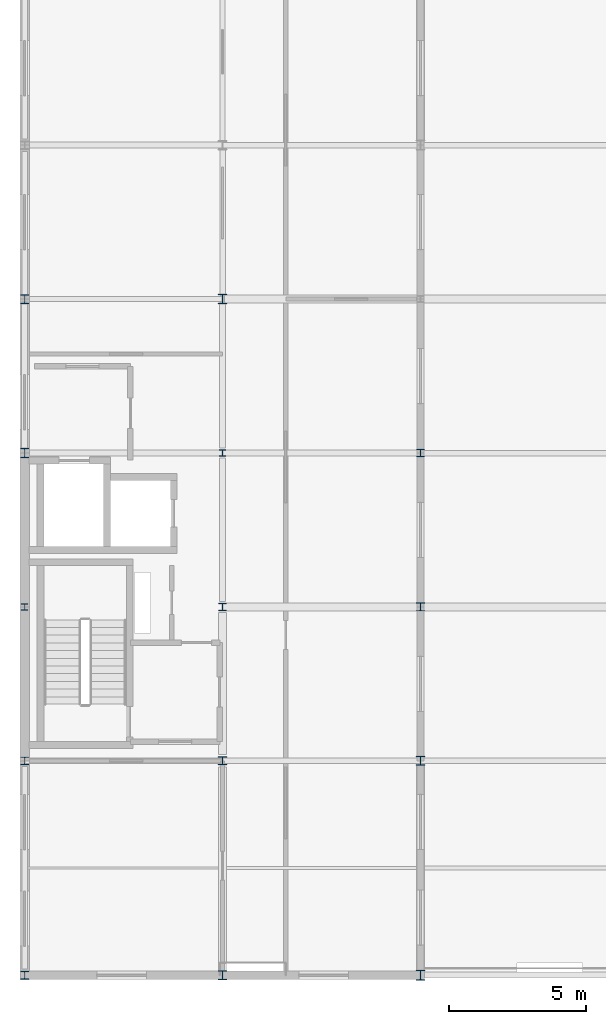
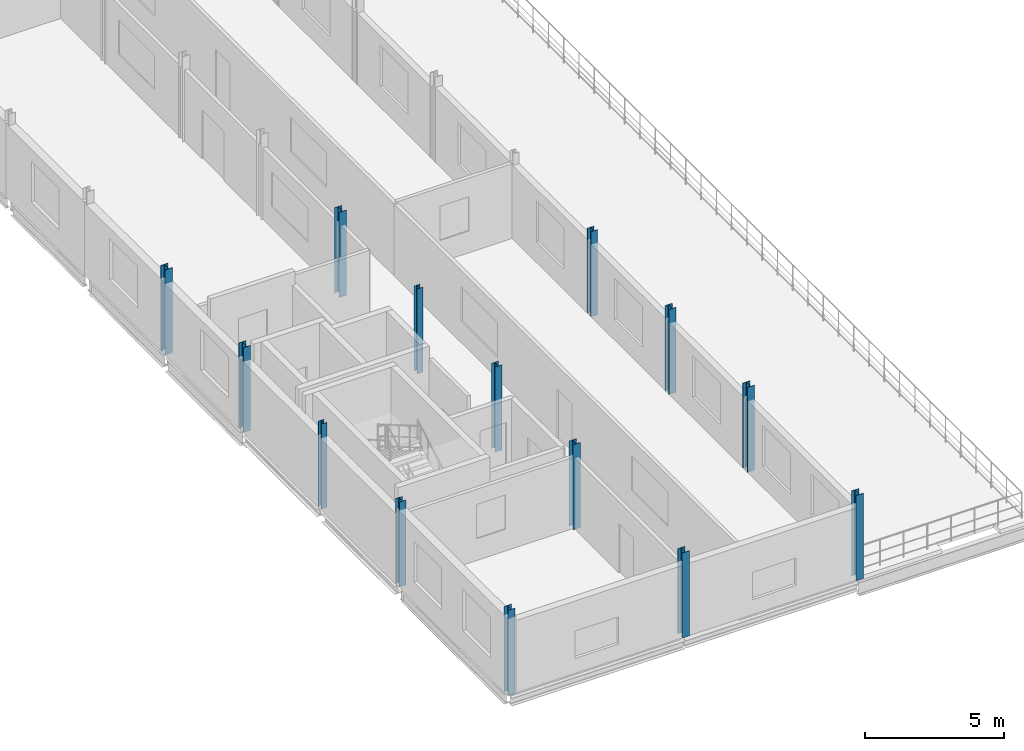
# One storey, part 1 of 14: 14 columns.
"""IFC4 building model written with IfcOpenShell, lengths in metres."""

import ifcopenshell
import ifcopenshell.guid

model = None  # the IFC model being written
_history = None  # IfcOwnerHistory: only IFC2X3 demands one
_inside = {}  # id of a spatial element -> (the spatial element, [elements in it])
_under = {}  # id of a project, library or spatial element -> (it, [spatial elements below it])
_declared = {}  # id of a project -> (the project, [libraries it declares])
_typed = {}  # id of a type object -> (the type object, [elements of that type])
_made_of = {}  # id of a material, layer set ... -> (it, [elements and type objects made of it])


def new_model(schema):
    """Start an empty IFC model of exactly this schema.

    Asked for "IFC4X3", IfcOpenShell would pick the latest addendum, in which some entities
    have other attributes; the version numbers below select the first issue.
    IFC2X3 requires an IfcOwnerHistory on every rooted entity: one is made here for all.
    """
    global model, _history
    if schema == "IFC4X3":
        model = ifcopenshell.file(schema_version=(4, 3, 0, 0))
    else:
        model = ifcopenshell.file(schema=schema)
    _inside.clear()
    _under.clear()
    _declared.clear()
    _typed.clear()
    _made_of.clear()
    _history = None
    if model.schema == "IFC2X3":
        org = make("IfcOrganization", Name="unknown")
        user = make(
            "IfcPersonAndOrganization",
            ThePerson=make("IfcPerson", FamilyName="unknown"),
            TheOrganization=org,
        )
        app = make(
            "IfcApplication",
            ApplicationDeveloper=org,
            Version="unknown",
            ApplicationFullName="unknown",
            ApplicationIdentifier="unknown",
        )
        _history = make(
            "IfcOwnerHistory",
            OwningUser=user,
            OwningApplication=app,
            ChangeAction="ADDED",
            CreationDate=0,
        )
    return model


def make(cls, **values):
    """One entity of the class cls with the attributes given. An attribute that is None is left unset."""
    return model.create_entity(
        cls, **{name: value for name, value in values.items() if value is not None}
    )


def rooted(cls, **values):
    """An entity with a GlobalId (a new one), such as an element, a storey or a relation."""
    return make(cls, GlobalId=ifcopenshell.guid.new(), OwnerHistory=_history, **values)


def si_unit(unit_type, name, prefix=None):
    """IfcSIUnit, for example si_unit("LENGTHUNIT", "METRE", prefix="MILLI")."""
    return make("IfcSIUnit", UnitType=unit_type, Prefix=prefix, Name=name)


def assignment(units):
    """IfcUnitAssignment: the units of a project."""
    return None if units is None else make("IfcUnitAssignment", Units=units)


def point(xyz):
    """IfcCartesianPoint."""
    return None if xyz is None else make("IfcCartesianPoint", Coordinates=xyz)


def direction(xyz):
    """IfcDirection."""
    return None if xyz is None else make("IfcDirection", DirectionRatios=xyz)


def frame(location, z_axis=None, x_axis=None):
    """IfcAxis2Placement3D, a coordinate frame: its origin and axes. An axis left out is left unset."""
    return make(
        "IfcAxis2Placement3D",
        Location=point(location),
        Axis=direction(z_axis),
        RefDirection=direction(x_axis),
    )


def frame_2d(location, x_axis=None):
    """IfcAxis2Placement2D, a coordinate frame in the plane: its origin and x axis."""
    return make(
        "IfcAxis2Placement2D", Location=point(location), RefDirection=direction(x_axis)
    )


def origin():
    """The frame at (0, 0, 0) with its axes left unset."""
    return frame((0.0, 0.0, 0.0))


def origin_2d():
    """The frame at (0, 0) in the plane with its x axis left unset."""
    return frame_2d((0.0, 0.0))


def place(relative_to, where):
    """IfcLocalPlacement: puts the frame where relative to a parent placement (None: the world)."""
    return make(
        "IfcLocalPlacement", PlacementRelTo=relative_to, RelativePlacement=where
    )


def context(
    kind, dimensions, precision=None, world=None, true_north=None, identifier=None
):
    """IfcGeometricRepresentationContext, for example the 3D "Model" context."""
    return make(
        "IfcGeometricRepresentationContext",
        ContextIdentifier=identifier,
        ContextType=kind,
        CoordinateSpaceDimension=dimensions,
        Precision=precision,
        WorldCoordinateSystem=world,
        TrueNorth=true_north,
    )


def subcontext(parent, identifier, kind, view, scale=None):
    """IfcGeometricRepresentationSubContext, for example "Body" below "Model"."""
    return make(
        "IfcGeometricRepresentationSubContext",
        ContextIdentifier=identifier,
        ContextType=kind,
        ParentContext=parent,
        TargetScale=scale,
        TargetView=view,
    )


def project(units=None, contexts=None):
    """IfcProject with its units and contexts."""
    return rooted(
        "IfcProject",
        Name="project",
        RepresentationContexts=contexts,
        UnitsInContext=assignment(units),
    )


def spatial(cls, under=None, at=None, **own):
    """A site, building, storey or space (cls), placed at a placement, below another one or the project."""
    s = rooted(cls, ObjectPlacement=at, **own)
    if under is not None:
        _under.setdefault(under.id(), (under, []))[1].append(s)
    return s


def profile(cls, at=None, kind="AREA", **sizes):
    """A parametric profile (cls). Its sizes go by their IFC names, for example OverallWidth=200.0."""
    return make(cls, ProfileType=kind, Position=at, **sizes)


def i_section(**sizes):
    """IfcIShapeProfileDef."""
    return profile("IfcIShapeProfileDef", **sizes)


def extrude(swept, where, along, depth):
    """IfcExtrudedAreaSolid: the profile swept, set in the frame where, extruded along a direction by depth."""
    return make(
        "IfcExtrudedAreaSolid",
        SweptArea=swept,
        Position=where,
        ExtrudedDirection=direction(along),
        Depth=depth,
    )


def shape(context_of_items, identifier, shape_type, items):
    """IfcShapeRepresentation: the items that make up one representation, for example the "Body"."""
    return make(
        "IfcShapeRepresentation",
        ContextOfItems=context_of_items,
        RepresentationIdentifier=identifier,
        RepresentationType=shape_type,
        Items=items,
    )


def material(Name=None, Category=None):
    """IfcMaterial."""
    return make("IfcMaterial", Name=Name, Category=Category)


def material_profile(
    of_material, cross_section, Name=None, Category=None, Priority=None
):
    """IfcMaterialProfile: a cross section and its material."""
    return make(
        "IfcMaterialProfile",
        Name=Name,
        Material=of_material,
        Profile=cross_section,
        Priority=Priority,
        Category=Category,
    )


def profile_set(profiles, Name=None, composite=None):
    """IfcMaterialProfileSet."""
    return make(
        "IfcMaterialProfileSet",
        Name=Name,
        MaterialProfiles=profiles,
        CompositeProfile=composite,
    )


def made_of(thing, what):
    """Note that an element or type object is made of a material, layer set ...; save() writes the relation."""
    if what is not None:
        _made_of.setdefault(what.id(), (what, []))[1].append(thing)
    return thing


def type_object(cls, material=None, **own):
    """A type object (cls), such as IfcWallType, which elements share."""
    return made_of(rooted(cls, **own), material)


def element(
    cls,
    number,
    at=None,
    inside=None,
    cuts=None,
    type_object=None,
    material=None,
    context=None,
    identifier="Body",
    shape_type=None,
    held_by="IfcProductDefinitionShape",
    body=None,
    shapes=None,
    **own,
):
    """One element of the class cls, such as IfcWall. Its Tag is "e" and its number.

    at: its placement. inside: the storey or other place that contains it. cuts: it is an
    opening in that element (IfcRelVoidsElement). A single representation is given by context,
    identifier, shape_type and body (its items); several are given by shapes. held_by: the class
    of the entity that holds the representations. save() writes the other relations.
    """
    e = rooted(cls, Tag="e%d" % number, ObjectPlacement=at, **own)
    if body is not None:
        shapes = [shape(context, identifier, shape_type, body)]
    if shapes is not None:
        e.Representation = make(held_by, Representations=shapes)
    if inside is not None:
        _inside.setdefault(inside.id(), (inside, []))[1].append(e)
    if cuts is not None:
        rooted(
            "IfcRelVoidsElement", RelatingBuildingElement=cuts, RelatedOpeningElement=e
        )
    if type_object is not None:
        _typed.setdefault(type_object.id(), (type_object, []))[1].append(e)
    return made_of(e, material)


def aggregate(whole, parts):
    """IfcRelAggregates: a whole, such as a stair, and the parts it consists of."""
    return rooted("IfcRelAggregates", RelatingObject=whole, RelatedObjects=parts)


def save(model, path):
    """Write the relations noted so far, then the file.

    IfcRelAggregates (storeys below a building ...), IfcRelContainedInSpatialStructure (elements
    in a storey), IfcRelDefinesByType, IfcRelAssociatesMaterial and IfcRelDeclares: one each for
    every whole, place, type object, material and project.
    """
    for whole, parts in _under.values():
        aggregate(whole, parts)
    for where, things in _inside.values():
        rooted(
            "IfcRelContainedInSpatialStructure",
            RelatedElements=things,
            RelatingStructure=where,
        )
    for kind, things in _typed.values():
        rooted("IfcRelDefinesByType", RelatedObjects=things, RelatingType=kind)
    for what, things in _made_of.values():
        rooted("IfcRelAssociatesMaterial", RelatedObjects=things, RelatingMaterial=what)
    for by, libraries in _declared.values():
        rooted("IfcRelDeclares", RelatingContext=by, RelatedDefinitions=libraries)
    model.write(path)


model = new_model("IFC4")

# Units and contexts
model_context = context("Model", 3, precision=1e-05, world=origin(), true_north=direction((0.0, 1.0)))
body_context = subcontext(model_context, "Body", "Model", "MODEL_VIEW")
ifc_project = project(units=[si_unit("LENGTHUNIT", "METRE"), si_unit("AREAUNIT", "SQUARE_METRE"), si_unit("VOLUMEUNIT", "CUBIC_METRE"), si_unit("PLANEANGLEUNIT", "RADIAN"), si_unit("MASSUNIT", "GRAM", prefix="KILO")], contexts=[model_context])

# Site, building, storey
site_placement = place(None, origin())
site = spatial("IfcSite", under=ifc_project, at=site_placement, CompositionType="ELEMENT")
building_placement = place(site_placement, origin())
building = spatial("IfcBuilding", under=site, at=building_placement, Name="Vinh Khe Railworks Police Headquarters", CompositionType="ELEMENT")
storey_placement = place(building_placement, frame((0.0, 0.0, 32.699951171875)))
storey = spatial("IfcBuildingStorey", under=building, at=storey_placement, Name="L08", CompositionType="ELEMENT", Elevation=32.699951171875)

# Columns
ifc_material = material(Name="Steel S355JR", Category="steel")
ifc_material_profile_1 = material_profile(ifc_material, i_section(OverallWidth=0.239990234375, OverallDepth=0.22998046875, WebThickness=0.007568359375, FlangeThickness=0.011962890625, FilletRadius=0.02099609375, at=origin_2d()), Name="HEA 240")
ifc_profile_set_1 = profile_set([ifc_material_profile_1], Name="Steel S355JR")
column_type_1 = type_object("IfcColumnType", Name="Steel Column HEA 240", PredefinedType="COLUMN", material=ifc_profile_set_1)
for number, where, z_axis, x_axis, name in (
    (1, (0.60009765625, 30.800048828125, 0.0), (0.0, 0.0, 1.0), (1.0, 0.0, 0.0), "Column COL-L08-SC-20-0036"),
    (2, (7.800048828125, 36.39990234375, 0.0), (0.0, 0.0, 1.0), (1.0, 0.0, 0.0), "Column COL-L08-SC-20-0213"),
):
    element("IfcColumn", number, at=place(storey_placement, frame(where, z_axis=z_axis, x_axis=x_axis)), inside=storey, type_object=column_type_1, Name=name, PredefinedType="COLUMN", context=body_context, shape_type="SweptSolid", body=[
        extrude(i_section(OverallWidth=0.239990234375, OverallDepth=0.22998046875, WebThickness=0.007568359375, FlangeThickness=0.011962890625, FilletRadius=0.02099609375, at=origin_2d()), origin(), (0.0, 0.0, 1.0), 3.719970703125),
    ])
ifc_material_profile_2 = material_profile(ifc_material, i_section(OverallWidth=0.280029296875, OverallDepth=0.27001953125, WebThickness=0.008056640625, FlangeThickness=0.012939453125, FilletRadius=0.02392578125, at=origin_2d()), Name="HEA 280")
ifc_profile_set_2 = profile_set([ifc_material_profile_2], Name="Steel S355JR")
column_type_2 = type_object("IfcColumnType", Name="Steel Column HEA 280", PredefinedType="COLUMN", material=ifc_profile_set_2)
for number, where, z_axis, x_axis, name in (
    (3, (0.60009765625, 25.199951171875, 0.0), (0.0, 0.0, 1.0), (1.0, 0.0, 0.0), "Column COL-L08-SC-19-0026"),
    (4, (7.800048828125, 30.800048828125, 0.0), (0.0, 0.0, 1.0), (1.0, 0.0, 0.0), "Column COL-L08-SC-19-0203"),
    (5, (15.0, 36.39990234375, 0.0), (0.0, 0.0, 1.0), (1.0, 0.0, 0.0), "Column COL-L08-SC-19-0380"),
):
    element("IfcColumn", number, at=place(storey_placement, frame(where, z_axis=z_axis, x_axis=x_axis)), inside=storey, type_object=column_type_2, Name=name, PredefinedType="COLUMN", context=body_context, shape_type="SweptSolid", body=[
        extrude(i_section(OverallWidth=0.280029296875, OverallDepth=0.27001953125, WebThickness=0.008056640625, FlangeThickness=0.012939453125, FilletRadius=0.02392578125, at=origin_2d()), origin(), (0.0, 0.0, 1.0), 3.719970703125),
    ])
ifc_material_profile_3 = material_profile(ifc_material, i_section(OverallWidth=0.300048828125, OverallDepth=0.2900390625, WebThickness=0.008544921875, FlangeThickness=0.013916015625, FilletRadius=0.027099609375, at=origin_2d()), Name="HEA 300")
ifc_profile_set_3 = profile_set([ifc_material_profile_3], Name="Steel S355JR")
column_type_3 = type_object("IfcColumnType", Name="Steel Column HEA 300", PredefinedType="COLUMN", material=ifc_profile_set_3)
for number, where, z_axis, x_axis, name in (
    (6, (0.60009765625, 17.39990234375, 0.0), (0.0, 0.0, 1.0), (1.0, 0.0, 0.0), "Column COL-L08-SC-18-0016"),
    (7, (7.800048828125, 25.199951171875, 0.0), (0.0, 0.0, 1.0), (1.0, 0.0, 0.0), "Column COL-L08-SC-18-0193"),
    (8, (15.0, 30.800048828125, 0.0), (0.0, 0.0, 1.0), (1.0, 0.0, 0.0), "Column COL-L08-SC-18-0370"),
):
    element("IfcColumn", number, at=place(storey_placement, frame(where, z_axis=z_axis, x_axis=x_axis)), inside=storey, type_object=column_type_3, Name=name, PredefinedType="COLUMN", context=body_context, shape_type="SweptSolid", body=[
        extrude(i_section(OverallWidth=0.300048828125, OverallDepth=0.2900390625, WebThickness=0.008544921875, FlangeThickness=0.013916015625, FilletRadius=0.027099609375, at=origin_2d()), origin(), (0.0, 0.0, 1.0), 3.719970703125),
    ])
ifc_material_profile_4 = material_profile(ifc_material, i_section(OverallWidth=0.300048828125, OverallDepth=0.330078125, WebThickness=0.009521484375, FlangeThickness=0.0166015625, FilletRadius=0.027099609375, at=origin_2d()), Name="HEA 340")
ifc_profile_set_4 = profile_set([ifc_material_profile_4], Name="Steel S355JR")
column_type_4 = type_object("IfcColumnType", Name="Steel Column HEA 340", PredefinedType="COLUMN", material=ifc_profile_set_4)
for number, where, z_axis, x_axis, name in (
    (9, (0.60009765625, 42.0, 0.0), (0.0, 0.0, 1.0), (1.0, 0.0, 0.0), "Column COL-L08-SC-17-0056"),
    (10, (7.800048828125, 17.39990234375, 0.0), (0.0, 0.0, 1.0), (1.0, 0.0, 0.0), "Column COL-L08-SC-17-0183"),
    (11, (15.0, 25.199951171875, 0.0), (0.0, 0.0, 1.0), (1.0, 0.0, 0.0), "Column COL-L08-SC-17-0360"),
):
    element("IfcColumn", number, at=place(storey_placement, frame(where, z_axis=z_axis, x_axis=x_axis)), inside=storey, type_object=column_type_4, Name=name, PredefinedType="COLUMN", context=body_context, shape_type="SweptSolid", body=[
        extrude(i_section(OverallWidth=0.300048828125, OverallDepth=0.330078125, WebThickness=0.009521484375, FlangeThickness=0.0166015625, FilletRadius=0.027099609375, at=origin_2d()), origin(), (0.0, 0.0, 1.0), 3.719970703125),
    ])
ifc_material_profile_5 = material_profile(ifc_material, i_section(OverallWidth=0.300048828125, OverallDepth=0.35009765625, WebThickness=0.010009765625, FlangeThickness=0.017578125, FilletRadius=0.027099609375, at=origin_2d()), Name="HEA 360")
ifc_profile_set_5 = profile_set([ifc_material_profile_5], Name="Steel S355JR")
column_type_5 = type_object("IfcColumnType", Name="Steel Column HEA 360", PredefinedType="COLUMN", material=ifc_profile_set_5)
for number, where, z_axis, x_axis, name in (
    (12, (0.60009765625, 36.39990234375, 0.0), (0.0, 0.0, 1.0), (1.0, 0.0, 0.0), "Column COL-L08-SC-16-0046"),
    (13, (7.800048828125, 42.0, 0.0), (0.0, 0.0, 1.0), (1.0, 0.0, 0.0), "Column COL-L08-SC-16-0223"),
    (14, (15.0, 17.39990234375, 0.0), (0.0, 0.0, 1.0), (1.0, 0.0, 0.0), "Column COL-L08-SC-16-0350"),
):
    element("IfcColumn", number, at=place(storey_placement, frame(where, z_axis=z_axis, x_axis=x_axis)), inside=storey, type_object=column_type_5, Name=name, PredefinedType="COLUMN", context=body_context, shape_type="SweptSolid", body=[
        extrude(i_section(OverallWidth=0.300048828125, OverallDepth=0.35009765625, WebThickness=0.010009765625, FlangeThickness=0.017578125, FilletRadius=0.027099609375, at=origin_2d()), origin(), (0.0, 0.0, 1.0), 3.719970703125),
    ])

save(model, "model.ifc")
